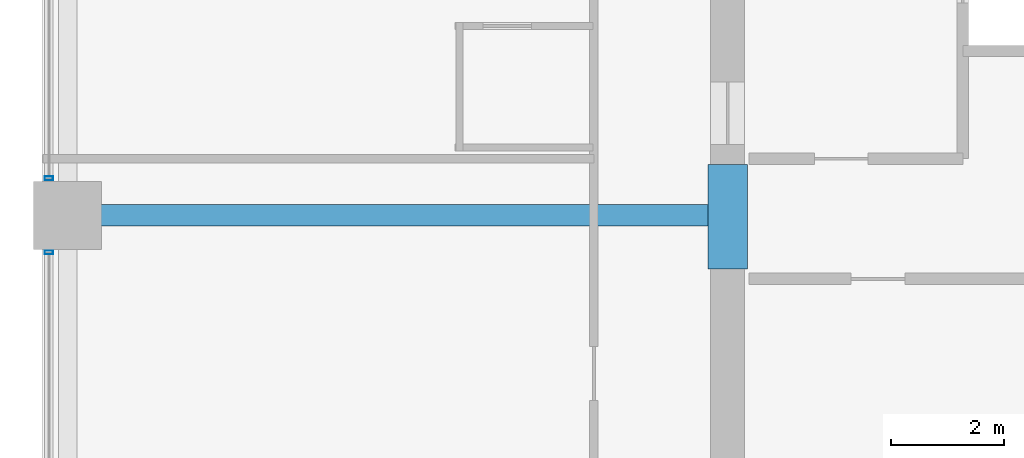
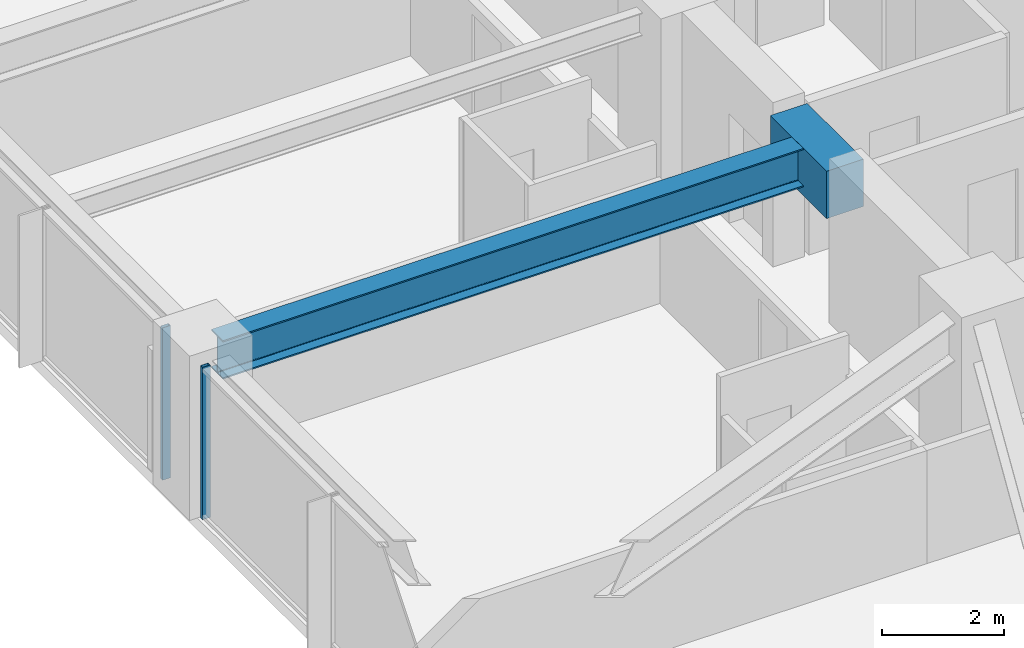
# One storey, part 8 of 38: 2 beams, 2 members, 2 elements without a shape of their own.
"""IFC4 building model written with IfcOpenShell, lengths in metres."""

from ifc_helpers import new_model, si_unit, direction, frame, origin, origin_2d, place, context, subcontext, project, spatial, rectangle, hollow_rectangle, i_section, extrude, material, material_profile, profile_set, type_object, element, aggregate, save


model = new_model("IFC4")

# Units and contexts
model_context = context("Model", 3, precision=1e-05, world=origin(), true_north=direction((0.0, 1.0)))
body_context = subcontext(model_context, "Body", "Model", "MODEL_VIEW")
ifc_project = project(units=[si_unit("LENGTHUNIT", "METRE"), si_unit("AREAUNIT", "SQUARE_METRE"), si_unit("VOLUMEUNIT", "CUBIC_METRE"), si_unit("PLANEANGLEUNIT", "RADIAN"), si_unit("MASSUNIT", "GRAM", prefix="KILO")], contexts=[model_context])

# Site, building, storey
site_placement = place(None, origin())
site = spatial("IfcSite", under=ifc_project, at=site_placement, CompositionType="ELEMENT")
building_placement = place(site_placement, origin())
building = spatial("IfcBuilding", under=site, at=building_placement, Name="Kolvaren Belvedere", CompositionType="ELEMENT")
storey_placement = place(building_placement, frame((0.0, 0.0, 27.10009765625)))
storey = spatial("IfcBuildingStorey", under=building, at=storey_placement, Name="L07", CompositionType="ELEMENT", Elevation=27.10009765625)

# Beams
ifc_material_1 = material(Name="Structural steel ASTM A992 Grade 50", Category="steel")
ifc_material_profile_1 = material_profile(ifc_material_1, i_section(OverallWidth=0.381103515625, OverallDepth=0.77294921875, WebThickness=0.0166015625, FlangeThickness=0.027099609375, FilletRadius=0.02392578125, at=origin_2d()), Name="W30X173")
ifc_profile_set_1 = profile_set([ifc_material_profile_1], Name="Structural steel ASTM A992 Grade 50")
beam_type_1 = type_object("IfcBeamType", Name="BM-GIRD-W30X173", PredefinedType="BEAM", material=ifc_profile_set_1)
beam_1_placement = place(storey_placement, frame((-10.199951171875, -4.60009765625, 2.67333984375), z_axis=(-1.0, 0.0, 0.0), x_axis=(0.0, -1.0, 0.0)))
element("IfcBeam", 1, at=beam_1_placement, inside=storey, type_object=beam_type_1, Name="L07 West Radial Girder M", PredefinedType="BEAM", context=body_context, shape_type="SweptSolid", body=[
    extrude(i_section(OverallWidth=0.381103515625, OverallDepth=0.77294921875, WebThickness=0.0166015625, FlangeThickness=0.027099609375, FilletRadius=0.02392578125, at=origin_2d()), origin(), (0.0, 0.0, 1.0), 11.080078125),
])
ifc_material_2 = material(Name="Concrete C60/75", Category="concrete")
ifc_material_profile_2 = material_profile(ifc_material_2, rectangle(XDim=0.699951171875, YDim=0.949951171875, at=origin_2d()), Name="RC 700X950")
ifc_profile_set_2 = profile_set([ifc_material_profile_2], Name="Concrete C60/75")
beam_type_2 = type_object("IfcBeamType", Name="BM-LINT-950", PredefinedType="LINTEL", material=ifc_profile_set_2)
beam_2_placement = place(storey_placement, frame((-9.89990234375, -5.550048828125, 2.5849609375), z_axis=(0.0, 1.0, 0.0), x_axis=(-1.0, 0.0, 0.0)))
element("IfcBeam", 2, at=beam_2_placement, inside=storey, type_object=beam_type_2, Name="L07 West Core Coupling Lintel", PredefinedType="LINTEL", context=body_context, shape_type="SweptSolid", body=[
    extrude(rectangle(XDim=0.699951171875, YDim=0.949951171875, at=origin_2d()), origin(), (0.0, 0.0, 1.0), 1.85009765625),
])

# Curtain wall, member
ifc_material_3 = material(Name="Anodised pale-metal aluminium AA 6063-T6", Category="aluminium")
curtain_wall_type = type_object("IfcCurtainWallType", Name="CW-Z1-LOW", PredefinedType="NOTDEFINED", material=ifc_material_3)
curtain_wall_1_placement = place(storey_placement, origin())
curtain_wall_1 = element("IfcCurtainWall", 3, at=curtain_wall_1_placement, inside=storey, type_object=curtain_wall_type, Name="L07 Unitised Curtain Wall FCW-L07-W-B1", PredefinedType="NOTDEFINED")
ifc_material_4 = material(Name="Anodised pale-metal aluminium AA 6063-T6", Category="aluminium")
ifc_material_profile_3 = material_profile(ifc_material_4, hollow_rectangle(XDim=0.070068359375, YDim=0.14990234375, WallThickness=0.004150390625, at=origin_2d()), Name="ALU-MUL-150X70")
ifc_profile_set_3 = profile_set([ifc_material_profile_3], Name="Anodised pale-metal aluminium AA 6063-T6")
member_type = type_object("IfcMemberType", Name="CW-MUL-150", PredefinedType="MULLION", material=ifc_profile_set_3)
member_1_placement = place(storey_placement, frame((-21.8798828125, -5.2548828125, 0.0), z_axis=(0.0, 0.0, 1.0), x_axis=(0.0, 1.0, 0.0)))
member_1 = element("IfcMember", 4, at=member_1_placement, type_object=member_type, Name="FCW-L07-W-B1 Unitised Mullion 3", PredefinedType="MULLION", context=body_context, shape_type="SweptSolid", body=[
    extrude(hollow_rectangle(XDim=0.070068359375, YDim=0.14990234375, WallThickness=0.004150390625, at=origin_2d()), origin(), (0.0, 0.0, 1.0), 3.059814453125),
])
aggregate(curtain_wall_1, [member_1])

curtain_wall_2_placement = place(storey_placement, origin())
curtain_wall_2 = element("IfcCurtainWall", 5, at=curtain_wall_2_placement, inside=storey, type_object=curtain_wall_type, Name="L07 Unitised Curtain Wall FCW-L07-W-B2", PredefinedType="NOTDEFINED")
member_2_placement = place(storey_placement, frame((-21.8798828125, -3.945068359375, 0.0), z_axis=(0.0, 0.0, 1.0), x_axis=(0.0, 1.0, 0.0)))
member_2 = element("IfcMember", 6, at=member_2_placement, type_object=member_type, Name="FCW-L07-W-B2 Unitised Mullion 1", PredefinedType="MULLION", context=body_context, shape_type="SweptSolid", body=[
    extrude(hollow_rectangle(XDim=0.070068359375, YDim=0.14990234375, WallThickness=0.004150390625, at=origin_2d()), origin(), (0.0, 0.0, 1.0), 3.059814453125),
])
aggregate(curtain_wall_2, [member_2])

save(model, "model.ifc")
